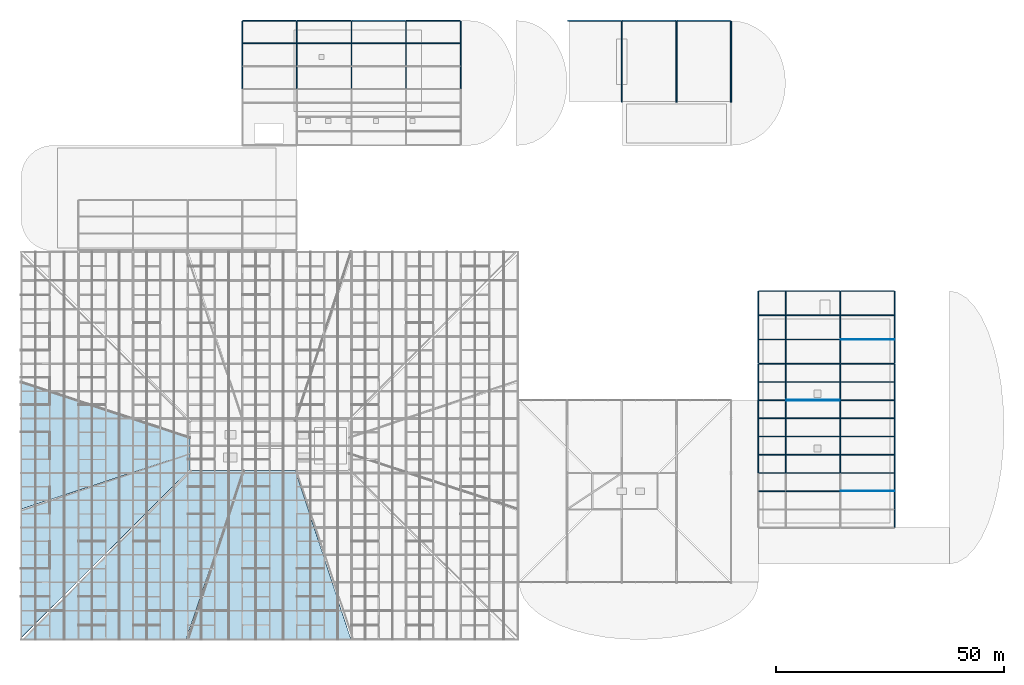
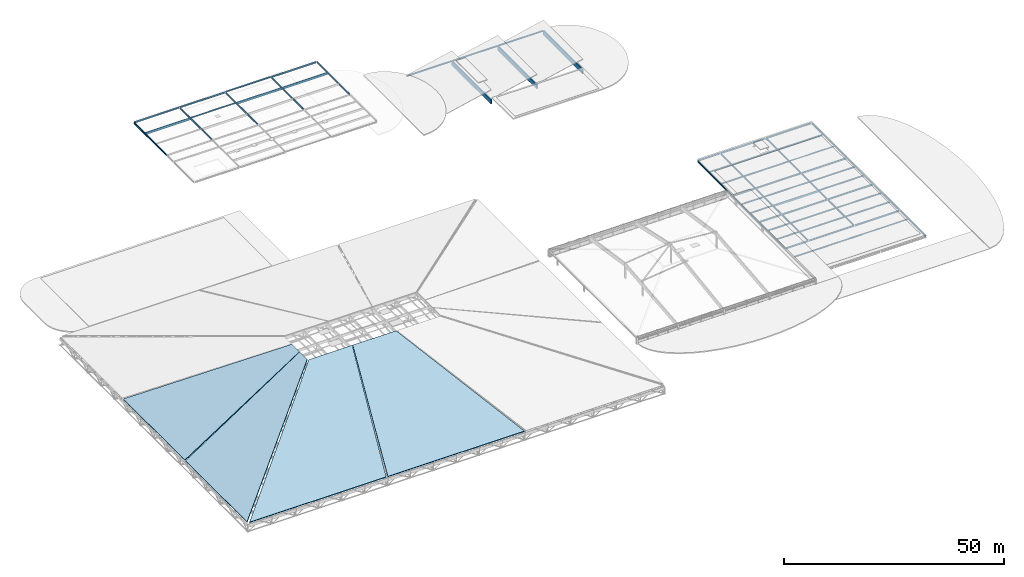
# One storey, part 73 of 80: 65 beams, 4 slabs.
"""IFC4 building model written with IfcOpenShell, lengths in metres."""

from ifc_helpers import new_model, si_unit, direction, frame, origin, origin_2d, place, context, subcontext, project, spatial, polyline, rectangle, i_section, outline, extrude, material, layer, layer_set, material_profile, profile_set, type_object, element, save


model = new_model("IFC4")

# Units and contexts
model_context = context("Model", 3, precision=1e-05, world=origin(), true_north=direction((0.0, 1.0)))
body_context = subcontext(model_context, "Body", "Model", "MODEL_VIEW")
ifc_project = project(units=[si_unit("LENGTHUNIT", "METRE"), si_unit("AREAUNIT", "SQUARE_METRE"), si_unit("VOLUMEUNIT", "CUBIC_METRE"), si_unit("PLANEANGLEUNIT", "RADIAN"), si_unit("MASSUNIT", "GRAM", prefix="KILO"), si_unit("THERMODYNAMICTEMPERATUREUNIT", "KELVIN"), si_unit("POWERUNIT", "WATT")], contexts=[model_context])

# Site, building, storey
site_placement = place(None, origin())
site = spatial("IfcSite", under=ifc_project, at=site_placement, CompositionType="ELEMENT")
building_placement = place(site_placement, origin())
building = spatial("IfcBuilding", under=site, at=building_placement, Name="Solmara Park Aquatics Centre", CompositionType="ELEMENT")
storey_placement = place(building_placement, frame((0.0, 0.0, 22.800048828125)))
storey = spatial("IfcBuildingStorey", under=building, at=storey_placement, Name="RF", CompositionType="ELEMENT", Elevation=22.800048828125)

# Beams
ifc_material_1 = material(Name="Glulam Timber GL28h", Category="wood")
ifc_material_profile_1 = material_profile(ifc_material_1, rectangle(XDim=0.320068359375, YDim=1.199951171875, at=origin_2d()), Name="GL28h 320x1200")
ifc_profile_set_1 = profile_set([ifc_material_profile_1], Name="Glulam Timber GL28h")
beam_type_1 = type_object("IfcBeamType", Name="STR-BM-GL320x1200", PredefinedType="BEAM", material=ifc_profile_set_1)
for number, where, z_axis, x_axis, name in (
    (1, (132.0, 118.080078125, -13.150146484375), (0.0, 1.0, 0.0), (-1.0, 0.0, 0.0), "Sawtooth Glulam Girder 1"),
    (2, (144.0, 118.080078125, -13.150146484375), (0.0, 1.0, 0.0), (-1.0, 0.0, 0.0), "Sawtooth Glulam Girder 2"),
    (3, (156.0, 118.080078125, -13.150146484375), (0.0, 1.0, 0.0), (-1.0, 0.0, 0.0), "Sawtooth Glulam Girder 3"),
):
    element("IfcBeam", number, at=place(storey_placement, frame(where, z_axis=z_axis, x_axis=x_axis)), inside=storey, type_object=beam_type_1, Name=name, PredefinedType="BEAM", context=body_context, shape_type="SweptSolid", body=[
        extrude(rectangle(XDim=0.320068359375, YDim=1.199951171875, at=origin_2d()), origin(), (0.0, 0.0, 1.0), 17.83984375),
    ])
ifc_material_2 = material(Name="Structural Steel S355", Category="steel")
ifc_material_profile_2 = material_profile(ifc_material_2, i_section(OverallWidth=0.18994140625, OverallDepth=0.449951171875, WebThickness=0.009521484375, FlangeThickness=0.0146484375, FilletRadius=0.02099609375, at=origin_2d()), Name="IPE 450")
ifc_profile_set_2 = profile_set([ifc_material_profile_2], Name="Structural Steel S355")
beam_type_2 = type_object("IfcBeamType", Name="STR-BM-IPE450", PredefinedType="BEAM", material=ifc_profile_set_2)
beam_1_placement = place(storey_placement, frame((162.080078125, 36.60009765625, -14.864990234375), z_axis=(1.0, 0.0, 0.0), x_axis=(0.0, 1.0, 0.0)))
element("IfcBeam", 4, at=beam_1_placement, inside=storey, type_object=beam_type_2, Name="Girder BM-RF-0521", PredefinedType="BEAM", context=body_context, shape_type="SweptSolid", body=[
    extrude(i_section(OverallWidth=0.18994140625, OverallDepth=0.449951171875, WebThickness=0.009521484375, FlangeThickness=0.0146484375, FilletRadius=0.02099609375, at=origin_2d()), origin(), (0.0, 0.0, 1.0), 5.83984375),
])
for number, where, z_axis, x_axis, name in (
    (5, (168.080078125, 36.60009765625, -14.864990234375), (1.0, 0.0, 0.0), (0.0, 1.0, 0.0), "Girder BM-RF-0522"),
    (6, (180.080078125, 36.60009765625, -14.864990234375), (1.0, 0.0, 0.0), (0.0, 1.0, 0.0), "Girder BM-RF-0523"),
):
    element("IfcBeam", number, at=place(storey_placement, frame(where, z_axis=z_axis, x_axis=x_axis)), inside=storey, type_object=beam_type_2, Name=name, PredefinedType="BEAM", context=body_context, shape_type="SweptSolid", body=[
        extrude(i_section(OverallWidth=0.18994140625, OverallDepth=0.449951171875, WebThickness=0.009521484375, FlangeThickness=0.0146484375, FilletRadius=0.02099609375, at=origin_2d()), origin(), (0.0, 0.0, 1.0), 11.83984375),
    ])
beam_2_placement = place(storey_placement, frame((162.080078125, 48.60009765625, -14.864990234375), z_axis=(1.0, 0.0, 0.0), x_axis=(0.0, 1.0, 0.0)))
element("IfcBeam", 7, at=beam_2_placement, inside=storey, type_object=beam_type_2, Name="Girder BM-RF-0524", PredefinedType="BEAM", context=body_context, shape_type="SweptSolid", body=[
    extrude(i_section(OverallWidth=0.18994140625, OverallDepth=0.449951171875, WebThickness=0.009521484375, FlangeThickness=0.0146484375, FilletRadius=0.02099609375, at=origin_2d()), origin(), (0.0, 0.0, 1.0), 5.83984375),
])
for number, where, z_axis, x_axis, name in (
    (8, (168.080078125, 48.60009765625, -14.864990234375), (1.0, 0.0, 0.0), (0.0, 1.0, 0.0), "Girder BM-RF-0525"),
    (9, (180.080078125, 48.60009765625, -14.864990234375), (1.0, 0.0, 0.0), (0.0, 1.0, 0.0), "Girder BM-RF-0526"),
):
    element("IfcBeam", number, at=place(storey_placement, frame(where, z_axis=z_axis, x_axis=x_axis)), inside=storey, type_object=beam_type_2, Name=name, PredefinedType="BEAM", context=body_context, shape_type="SweptSolid", body=[
        extrude(i_section(OverallWidth=0.18994140625, OverallDepth=0.449951171875, WebThickness=0.009521484375, FlangeThickness=0.0146484375, FilletRadius=0.02099609375, at=origin_2d()), origin(), (0.0, 0.0, 1.0), 11.83984375),
    ])
beam_3_placement = place(storey_placement, frame((162.080078125, 60.60009765625, -14.864990234375), z_axis=(1.0, 0.0, 0.0), x_axis=(0.0, 1.0, 0.0)))
element("IfcBeam", 10, at=beam_3_placement, inside=storey, type_object=beam_type_2, Name="Girder BM-RF-0527", PredefinedType="BEAM", context=body_context, shape_type="SweptSolid", body=[
    extrude(i_section(OverallWidth=0.18994140625, OverallDepth=0.449951171875, WebThickness=0.009521484375, FlangeThickness=0.0146484375, FilletRadius=0.02099609375, at=origin_2d()), origin(), (0.0, 0.0, 1.0), 5.83984375),
])
for number, where, z_axis, x_axis, name in (
    (11, (168.080078125, 60.60009765625, -14.864990234375), (1.0, 0.0, 0.0), (0.0, 1.0, 0.0), "Girder BM-RF-0528"),
    (12, (180.080078125, 60.60009765625, -14.864990234375), (1.0, 0.0, 0.0), (0.0, 1.0, 0.0), "Girder BM-RF-0529"),
):
    element("IfcBeam", number, at=place(storey_placement, frame(where, z_axis=z_axis, x_axis=x_axis)), inside=storey, type_object=beam_type_2, Name=name, PredefinedType="BEAM", context=body_context, shape_type="SweptSolid", body=[
        extrude(i_section(OverallWidth=0.18994140625, OverallDepth=0.449951171875, WebThickness=0.009521484375, FlangeThickness=0.0146484375, FilletRadius=0.02099609375, at=origin_2d()), origin(), (0.0, 0.0, 1.0), 11.83984375),
    ])
beam_4_placement = place(storey_placement, frame((162.080078125, 76.60009765625, -14.864990234375), z_axis=(1.0, 0.0, 0.0), x_axis=(0.0, 1.0, 0.0)))
element("IfcBeam", 13, at=beam_4_placement, inside=storey, type_object=beam_type_2, Name="Girder BM-RF-0530", PredefinedType="BEAM", context=body_context, shape_type="SweptSolid", body=[
    extrude(i_section(OverallWidth=0.18994140625, OverallDepth=0.449951171875, WebThickness=0.009521484375, FlangeThickness=0.0146484375, FilletRadius=0.02099609375, at=origin_2d()), origin(), (0.0, 0.0, 1.0), 5.83984375),
])
for number, where, z_axis, x_axis, name in (
    (14, (168.080078125, 76.60009765625, -14.864990234375), (1.0, 0.0, 0.0), (0.0, 1.0, 0.0), "Girder BM-RF-0531"),
    (15, (180.080078125, 76.60009765625, -14.864990234375), (1.0, 0.0, 0.0), (0.0, 1.0, 0.0), "Girder BM-RF-0532"),
):
    element("IfcBeam", number, at=place(storey_placement, frame(where, z_axis=z_axis, x_axis=x_axis)), inside=storey, type_object=beam_type_2, Name=name, PredefinedType="BEAM", context=body_context, shape_type="SweptSolid", body=[
        extrude(i_section(OverallWidth=0.18994140625, OverallDepth=0.449951171875, WebThickness=0.009521484375, FlangeThickness=0.0146484375, FilletRadius=0.02099609375, at=origin_2d()), origin(), (0.0, 0.0, 1.0), 11.83984375),
    ])
for number, where, z_axis, x_axis, name in (
    (16, (162.0, 36.679931640625, -14.864990234375), (0.0, 1.0, 0.0), (-1.0, 0.0, 0.0), "Girder BM-RF-0534"),
    (17, (162.0, 48.679931640625, -14.864990234375), (0.0, 1.0, 0.0), (-1.0, 0.0, 0.0), "Girder BM-RF-0535"),
):
    element("IfcBeam", number, at=place(storey_placement, frame(where, z_axis=z_axis, x_axis=x_axis)), inside=storey, type_object=beam_type_2, Name=name, PredefinedType="BEAM", context=body_context, shape_type="SweptSolid", body=[
        extrude(i_section(OverallWidth=0.18994140625, OverallDepth=0.449951171875, WebThickness=0.009521484375, FlangeThickness=0.0146484375, FilletRadius=0.02099609375, at=origin_2d()), origin(), (0.0, 0.0, 1.0), 11.840087890625),
    ])
beam_5_placement = place(storey_placement, frame((162.0, 60.679931640625, -14.864990234375), z_axis=(0.0, 1.0, 0.0), x_axis=(-1.0, 0.0, 0.0)))
element("IfcBeam", 18, at=beam_5_placement, inside=storey, type_object=beam_type_2, Name="Girder BM-RF-0536", PredefinedType="BEAM", context=body_context, shape_type="SweptSolid", body=[
    extrude(i_section(OverallWidth=0.18994140625, OverallDepth=0.449951171875, WebThickness=0.009521484375, FlangeThickness=0.0146484375, FilletRadius=0.02099609375, at=origin_2d()), origin(), (0.0, 0.0, 1.0), 15.840087890625),
])
for number, where, z_axis, x_axis, name in (
    (19, (168.0, 36.679931640625, -14.864990234375), (0.0, 1.0, 0.0), (-1.0, 0.0, 0.0), "Girder BM-RF-0538"),
    (20, (168.0, 48.679931640625, -14.864990234375), (0.0, 1.0, 0.0), (-1.0, 0.0, 0.0), "Girder BM-RF-0539"),
):
    element("IfcBeam", number, at=place(storey_placement, frame(where, z_axis=z_axis, x_axis=x_axis)), inside=storey, type_object=beam_type_2, Name=name, PredefinedType="BEAM", context=body_context, shape_type="SweptSolid", body=[
        extrude(i_section(OverallWidth=0.18994140625, OverallDepth=0.449951171875, WebThickness=0.009521484375, FlangeThickness=0.0146484375, FilletRadius=0.02099609375, at=origin_2d()), origin(), (0.0, 0.0, 1.0), 11.840087890625),
    ])
beam_6_placement = place(storey_placement, frame((168.0, 60.679931640625, -14.864990234375), z_axis=(0.0, 1.0, 0.0), x_axis=(-1.0, 0.0, 0.0)))
element("IfcBeam", 21, at=beam_6_placement, inside=storey, type_object=beam_type_2, Name="Girder BM-RF-0540", PredefinedType="BEAM", context=body_context, shape_type="SweptSolid", body=[
    extrude(i_section(OverallWidth=0.18994140625, OverallDepth=0.449951171875, WebThickness=0.009521484375, FlangeThickness=0.0146484375, FilletRadius=0.02099609375, at=origin_2d()), origin(), (0.0, 0.0, 1.0), 15.840087890625),
])
for number, where, z_axis, x_axis, name in (
    (22, (180.0, 36.679931640625, -14.864990234375), (0.0, 1.0, 0.0), (-1.0, 0.0, 0.0), "Girder BM-RF-0542"),
    (23, (180.0, 48.679931640625, -14.864990234375), (0.0, 1.0, 0.0), (-1.0, 0.0, 0.0), "Girder BM-RF-0543"),
):
    element("IfcBeam", number, at=place(storey_placement, frame(where, z_axis=z_axis, x_axis=x_axis)), inside=storey, type_object=beam_type_2, Name=name, PredefinedType="BEAM", context=body_context, shape_type="SweptSolid", body=[
        extrude(i_section(OverallWidth=0.18994140625, OverallDepth=0.449951171875, WebThickness=0.009521484375, FlangeThickness=0.0146484375, FilletRadius=0.02099609375, at=origin_2d()), origin(), (0.0, 0.0, 1.0), 11.840087890625),
    ])
beam_7_placement = place(storey_placement, frame((180.0, 60.679931640625, -14.864990234375), z_axis=(0.0, 1.0, 0.0), x_axis=(-1.0, 0.0, 0.0)))
element("IfcBeam", 24, at=beam_7_placement, inside=storey, type_object=beam_type_2, Name="Girder BM-RF-0544", PredefinedType="BEAM", context=body_context, shape_type="SweptSolid", body=[
    extrude(i_section(OverallWidth=0.18994140625, OverallDepth=0.449951171875, WebThickness=0.009521484375, FlangeThickness=0.0146484375, FilletRadius=0.02099609375, at=origin_2d()), origin(), (0.0, 0.0, 1.0), 15.840087890625),
])
for number, where, z_axis, x_axis, name in (
    (25, (192.0, 24.679931640625, -14.864990234375), (0.0, 1.0, 0.0), (-1.0, 0.0, 0.0), "Girder BM-RF-0545"),
    (26, (192.0, 36.679931640625, -14.864990234375), (0.0, 1.0, 0.0), (-1.0, 0.0, 0.0), "Girder BM-RF-0546"),
    (27, (192.0, 48.679931640625, -14.864990234375), (0.0, 1.0, 0.0), (-1.0, 0.0, 0.0), "Girder BM-RF-0547"),
):
    element("IfcBeam", number, at=place(storey_placement, frame(where, z_axis=z_axis, x_axis=x_axis)), inside=storey, type_object=beam_type_2, Name=name, PredefinedType="BEAM", context=body_context, shape_type="SweptSolid", body=[
        extrude(i_section(OverallWidth=0.18994140625, OverallDepth=0.449951171875, WebThickness=0.009521484375, FlangeThickness=0.0146484375, FilletRadius=0.02099609375, at=origin_2d()), origin(), (0.0, 0.0, 1.0), 11.840087890625),
    ])
beam_8_placement = place(storey_placement, frame((192.0, 60.679931640625, -14.864990234375), z_axis=(0.0, 1.0, 0.0), x_axis=(-1.0, 0.0, 0.0)))
element("IfcBeam", 28, at=beam_8_placement, inside=storey, type_object=beam_type_2, Name="Girder BM-RF-0548", PredefinedType="BEAM", context=body_context, shape_type="SweptSolid", body=[
    extrude(i_section(OverallWidth=0.18994140625, OverallDepth=0.449951171875, WebThickness=0.009521484375, FlangeThickness=0.0146484375, FilletRadius=0.02099609375, at=origin_2d()), origin(), (0.0, 0.0, 1.0), 15.840087890625),
])
for number, where, z_axis, x_axis, name in (
    (29, (48.679931640625, 136.0, -0.545166015625), (1.0, 0.0, 0.0), (0.0, 1.0, 0.0), "Girder BM-RF-0574"),
    (30, (60.679931640625, 136.0, -0.545166015625), (1.0, 0.0, 0.0), (0.0, 1.0, 0.0), "Girder BM-RF-0575"),
    (31, (84.679931640625, 136.0, -0.545166015625), (1.0, 0.0, 0.0), (0.0, 1.0, 0.0), "Girder BM-RF-0577"),
):
    element("IfcBeam", number, at=place(storey_placement, frame(where, z_axis=z_axis, x_axis=x_axis)), inside=storey, type_object=beam_type_2, Name=name, PredefinedType="BEAM", context=body_context, shape_type="SweptSolid", body=[
        extrude(i_section(OverallWidth=0.18994140625, OverallDepth=0.449951171875, WebThickness=0.009521484375, FlangeThickness=0.0146484375, FilletRadius=0.02099609375, at=origin_2d()), origin(), (0.0, 0.0, 1.0), 11.840087890625),
    ])
for number, where, z_axis, x_axis, name in (
    (32, (48.60009765625, 121.080078125, -0.545166015625), (0.0, 1.0, 0.0), (-1.0, 0.0, 0.0), "Girder BM-RF-0580"),
    (33, (60.60009765625, 121.080078125, -0.545166015625), (0.0, 1.0, 0.0), (-1.0, 0.0, 0.0), "Girder BM-RF-0583"),
    (34, (72.60009765625, 121.080078125, -0.545166015625), (0.0, 1.0, 0.0), (-1.0, 0.0, 0.0), "Girder BM-RF-0586"),
    (35, (84.60009765625, 121.080078125, -0.545166015625), (0.0, 1.0, 0.0), (-1.0, 0.0, 0.0), "Girder BM-RF-0589"),
    (36, (96.60009765625, 121.080078125, -0.545166015625), (0.0, 1.0, 0.0), (-1.0, 0.0, 0.0), "Girder BM-RF-0592"),
):
    element("IfcBeam", number, at=place(storey_placement, frame(where, z_axis=z_axis, x_axis=x_axis)), inside=storey, type_object=beam_type_2, Name=name, PredefinedType="BEAM", context=body_context, shape_type="SweptSolid", body=[
        extrude(i_section(OverallWidth=0.18994140625, OverallDepth=0.449951171875, WebThickness=0.009521484375, FlangeThickness=0.0146484375, FilletRadius=0.02099609375, at=origin_2d()), origin(), (0.0, 0.0, 1.0), 14.83984375),
    ])
ifc_material_profile_3 = material_profile(ifc_material_1, rectangle(XDim=0.199951171875, YDim=0.5400390625, at=origin_2d()), Name="GL28h 200x540")
ifc_profile_set_3 = profile_set([ifc_material_profile_3], Name="Glulam Timber GL28h")
beam_type_3 = type_object("IfcBeamType", Name="STR-JST-GL200x540", PredefinedType="JOIST", material=ifc_profile_set_3)
beam_9_placement = place(storey_placement, frame((168.094970703125, 52.60009765625, -14.91015625), z_axis=(1.0, 0.0, 0.0), x_axis=(0.0, 1.0, 0.0)))
element("IfcBeam", 37, at=beam_9_placement, inside=storey, type_object=beam_type_3, Name="Floor Joist JST-RF-0294", PredefinedType="JOIST", context=body_context, shape_type="SweptSolid", body=[
    extrude(rectangle(XDim=0.199951171875, YDim=0.5400390625, at=origin_2d()), origin(), (0.0, 0.0, 1.0), 11.81005859375),
])
ifc_material_profile_4 = material_profile(ifc_material_1, rectangle(XDim=0.219970703125, YDim=0.60009765625, at=origin_2d()), Name="GL28h 220x600")
ifc_profile_set_4 = profile_set([ifc_material_profile_4], Name="Glulam Timber GL28h")
beam_type_4 = type_object("IfcBeamType", Name="STR-JST-GL220x600", PredefinedType="JOIST", material=ifc_profile_set_4)
for number, where, z_axis, x_axis, name in (
    (38, (48.695068359375, 131.0, -0.6201171875), (1.0, 0.0, 0.0), (0.0, 1.0, 0.0), "Floor Joist JST-RF-0315"),
    (39, (72.695068359375, 131.0, -0.6201171875), (1.0, 0.0, 0.0), (0.0, 1.0, 0.0), "Floor Joist JST-RF-0323"),
    (40, (84.695068359375, 131.0, -0.6201171875), (1.0, 0.0, 0.0), (0.0, 1.0, 0.0), "Floor Joist JST-RF-0327"),
):
    element("IfcBeam", number, at=place(storey_placement, frame(where, z_axis=z_axis, x_axis=x_axis)), inside=storey, type_object=beam_type_4, Name=name, PredefinedType="JOIST", context=body_context, shape_type="SweptSolid", body=[
        extrude(rectangle(XDim=0.219970703125, YDim=0.60009765625, at=origin_2d()), origin(), (0.0, 0.0, 1.0), 11.809814453125),
    ])
ifc_material_profile_5 = material_profile(ifc_material_2, i_section(OverallWidth=0.199951171875, OverallDepth=0.18994140625, WebThickness=0.006591796875, FlangeThickness=0.010009765625, FilletRadius=0.01806640625, at=origin_2d()), Name="HEA 200")
ifc_profile_set_5 = profile_set([ifc_material_profile_5], Name="Structural Steel S355")
beam_type_5 = type_object("IfcBeamType", Name="STR-JST-HEA200", PredefinedType="JOIST", material=ifc_profile_set_5)
beam_10_placement = place(storey_placement, frame((162.094970703125, 71.2666015625, -14.735107421875), z_axis=(1.0, 0.0, 0.0), x_axis=(0.0, 1.0, 0.0)))
element("IfcBeam", 41, at=beam_10_placement, inside=storey, type_object=beam_type_5, Name="Floor Joist JST-RF-0289", PredefinedType="JOIST", context=body_context, shape_type="SweptSolid", body=[
    extrude(i_section(OverallWidth=0.199951171875, OverallDepth=0.18994140625, WebThickness=0.006591796875, FlangeThickness=0.010009765625, FilletRadius=0.01806640625, at=origin_2d()), origin(), (0.0, 0.0, 1.0), 5.81005859375),
])
beam_11_placement = place(storey_placement, frame((60.695068359375, 131.0, -0.4150390625), z_axis=(1.0, 0.0, 0.0), x_axis=(0.0, 1.0, 0.0)))
element("IfcBeam", 42, at=beam_11_placement, inside=storey, type_object=beam_type_5, Name="Floor Joist JST-RF-0319", PredefinedType="JOIST", context=body_context, shape_type="SweptSolid", body=[
    extrude(i_section(OverallWidth=0.199951171875, OverallDepth=0.18994140625, WebThickness=0.006591796875, FlangeThickness=0.010009765625, FilletRadius=0.01806640625, at=origin_2d()), origin(), (0.0, 0.0, 1.0), 11.809814453125),
])
ifc_material_profile_6 = material_profile(ifc_material_2, i_section(OverallWidth=0.219970703125, OverallDepth=0.2099609375, WebThickness=0.007080078125, FlangeThickness=0.010986328125, FilletRadius=0.01806640625, at=origin_2d()), Name="HEA 220")
ifc_profile_set_6 = profile_set([ifc_material_profile_6], Name="Structural Steel S355")
beam_type_6 = type_object("IfcBeamType", Name="STR-JST-HEA220", PredefinedType="JOIST", material=ifc_profile_set_6)
beam_12_placement = place(storey_placement, frame((162.094970703125, 40.60009765625, -14.7451171875), z_axis=(1.0, 0.0, 0.0), x_axis=(0.0, 1.0, 0.0)))
element("IfcBeam", 43, at=beam_12_placement, inside=storey, type_object=beam_type_6, Name="Floor Joist JST-RF-0284", PredefinedType="JOIST", context=body_context, shape_type="SweptSolid", body=[
    extrude(i_section(OverallWidth=0.219970703125, OverallDepth=0.2099609375, WebThickness=0.007080078125, FlangeThickness=0.010986328125, FilletRadius=0.01806640625, at=origin_2d()), origin(), (0.0, 0.0, 1.0), 5.81005859375),
])
ifc_material_profile_7 = material_profile(ifc_material_2, i_section(OverallWidth=0.10009765625, OverallDepth=0.199951171875, WebThickness=0.005615234375, FlangeThickness=0.008544921875, FilletRadius=0.011962890625, at=origin_2d()), Name="IPE 200")
ifc_profile_set_7 = profile_set([ifc_material_profile_7], Name="Structural Steel S355")
beam_type_7 = type_object("IfcBeamType", Name="STR-JST-IPE200", PredefinedType="JOIST", material=ifc_profile_set_7)
beam_13_placement = place(storey_placement, frame((180.094970703125, 65.933349609375, -14.739990234375), z_axis=(1.0, 0.0, 0.0), x_axis=(0.0, 1.0, 0.0)))
element("IfcBeam", 44, at=beam_13_placement, inside=storey, type_object=beam_type_7, Name="Floor Joist JST-RF-0304", PredefinedType="JOIST", context=body_context, shape_type="SweptSolid", body=[
    extrude(i_section(OverallWidth=0.10009765625, OverallDepth=0.199951171875, WebThickness=0.005615234375, FlangeThickness=0.008544921875, FilletRadius=0.011962890625, at=origin_2d()), origin(), (0.0, 0.0, 1.0), 11.81005859375),
])
ifc_material_profile_8 = material_profile(ifc_material_2, i_section(OverallWidth=0.110107421875, OverallDepth=0.219970703125, WebThickness=0.005859375, FlangeThickness=0.00927734375, FilletRadius=0.011962890625, at=origin_2d()), Name="IPE 220")
ifc_profile_set_8 = profile_set([ifc_material_profile_8], Name="Structural Steel S355")
beam_type_8 = type_object("IfcBeamType", Name="STR-JST-IPE220", PredefinedType="JOIST", material=ifc_profile_set_8)
beam_14_placement = place(storey_placement, frame((180.094970703125, 32.60009765625, -14.75), z_axis=(1.0, 0.0, 0.0), x_axis=(0.0, 1.0, 0.0)))
element("IfcBeam", 45, at=beam_14_placement, inside=storey, type_object=beam_type_8, Name="Floor Joist JST-RF-0299", PredefinedType="JOIST", context=body_context, shape_type="SweptSolid", body=[
    extrude(i_section(OverallWidth=0.110107421875, OverallDepth=0.219970703125, WebThickness=0.005859375, FlangeThickness=0.00927734375, FilletRadius=0.011962890625, at=origin_2d()), origin(), (0.0, 0.0, 1.0), 11.81005859375),
])
ifc_material_profile_9 = material_profile(ifc_material_2, i_section(OverallWidth=0.135009765625, OverallDepth=0.27001953125, WebThickness=0.006591796875, FlangeThickness=0.01025390625, FilletRadius=0.014892578125, at=origin_2d()), Name="IPE 270")
ifc_profile_set_9 = profile_set([ifc_material_profile_9], Name="Structural Steel S355")
beam_type_9 = type_object("IfcBeamType", Name="STR-JST-IPE270", PredefinedType="JOIST", material=ifc_profile_set_9)
for number, where, z_axis, x_axis, name in (
    (46, (162.094970703125, 32.60009765625, -14.775146484375), (1.0, 0.0, 0.0), (0.0, 1.0, 0.0), "Floor Joist JST-RF-0283"),
    (47, (162.094970703125, 44.60009765625, -14.775146484375), (1.0, 0.0, 0.0), (0.0, 1.0, 0.0), "Floor Joist JST-RF-0285"),
    (48, (162.094970703125, 52.60009765625, -14.775146484375), (1.0, 0.0, 0.0), (0.0, 1.0, 0.0), "Floor Joist JST-RF-0286"),
    (49, (162.094970703125, 56.60009765625, -14.775146484375), (1.0, 0.0, 0.0), (0.0, 1.0, 0.0), "Floor Joist JST-RF-0287"),
    (50, (162.094970703125, 65.933349609375, -14.775146484375), (1.0, 0.0, 0.0), (0.0, 1.0, 0.0), "Floor Joist JST-RF-0288"),
):
    element("IfcBeam", number, at=place(storey_placement, frame(where, z_axis=z_axis, x_axis=x_axis)), inside=storey, type_object=beam_type_9, Name=name, PredefinedType="JOIST", context=body_context, shape_type="SweptSolid", body=[
        extrude(i_section(OverallWidth=0.135009765625, OverallDepth=0.27001953125, WebThickness=0.006591796875, FlangeThickness=0.01025390625, FilletRadius=0.014892578125, at=origin_2d()), origin(), (0.0, 0.0, 1.0), 5.81005859375),
    ])
for number, where, z_axis, x_axis, name in (
    (51, (168.094970703125, 32.60009765625, -14.775146484375), (1.0, 0.0, 0.0), (0.0, 1.0, 0.0), "Floor Joist JST-RF-0291"),
    (52, (168.094970703125, 40.60009765625, -14.775146484375), (1.0, 0.0, 0.0), (0.0, 1.0, 0.0), "Floor Joist JST-RF-0292"),
    (53, (168.094970703125, 44.60009765625, -14.775146484375), (1.0, 0.0, 0.0), (0.0, 1.0, 0.0), "Floor Joist JST-RF-0293"),
    (54, (168.094970703125, 56.60009765625, -14.775146484375), (1.0, 0.0, 0.0), (0.0, 1.0, 0.0), "Floor Joist JST-RF-0295"),
    (55, (168.094970703125, 65.933349609375, -14.775146484375), (1.0, 0.0, 0.0), (0.0, 1.0, 0.0), "Floor Joist JST-RF-0296"),
    (56, (168.094970703125, 71.2666015625, -14.775146484375), (1.0, 0.0, 0.0), (0.0, 1.0, 0.0), "Floor Joist JST-RF-0297"),
    (57, (180.094970703125, 40.60009765625, -14.775146484375), (1.0, 0.0, 0.0), (0.0, 1.0, 0.0), "Floor Joist JST-RF-0300"),
    (58, (180.094970703125, 44.60009765625, -14.775146484375), (1.0, 0.0, 0.0), (0.0, 1.0, 0.0), "Floor Joist JST-RF-0301"),
    (59, (180.094970703125, 52.60009765625, -14.775146484375), (1.0, 0.0, 0.0), (0.0, 1.0, 0.0), "Floor Joist JST-RF-0302"),
    (60, (180.094970703125, 56.60009765625, -14.775146484375), (1.0, 0.0, 0.0), (0.0, 1.0, 0.0), "Floor Joist JST-RF-0303"),
    (61, (180.094970703125, 71.2666015625, -14.775146484375), (1.0, 0.0, 0.0), (0.0, 1.0, 0.0), "Floor Joist JST-RF-0305"),
):
    element("IfcBeam", number, at=place(storey_placement, frame(where, z_axis=z_axis, x_axis=x_axis)), inside=storey, type_object=beam_type_9, Name=name, PredefinedType="JOIST", context=body_context, shape_type="SweptSolid", body=[
        extrude(i_section(OverallWidth=0.135009765625, OverallDepth=0.27001953125, WebThickness=0.006591796875, FlangeThickness=0.01025390625, FilletRadius=0.014892578125, at=origin_2d()), origin(), (0.0, 0.0, 1.0), 11.81005859375),
    ])
ifc_material_profile_10 = material_profile(ifc_material_2, i_section(OverallWidth=0.300048828125, OverallDepth=0.2900390625, WebThickness=0.008544921875, FlangeThickness=0.013916015625, FilletRadius=0.027099609375, at=origin_2d()), Name="HEA 300")
ifc_profile_set_10 = profile_set([ifc_material_profile_10], Name="Structural Steel S355")
beam_type_10 = type_object("IfcBeamType", Name="STR-SPD-HEA300", PredefinedType="SPANDREL", material=ifc_profile_set_10)
for number, where, z_axis, x_axis, name in (
    (62, (120.080078125, 136.0, -12.695068359375), (1.0, 0.0, 0.0), (0.0, 1.0, 0.0), "Sawtooth North Eave Spandrel 120"),
    (63, (132.080078125, 136.0, -12.695068359375), (1.0, 0.0, 0.0), (0.0, 1.0, 0.0), "Sawtooth North Eave Spandrel 132"),
    (64, (144.080078125, 136.0, -12.695068359375), (1.0, 0.0, 0.0), (0.0, 1.0, 0.0), "Sawtooth North Eave Spandrel 144"),
):
    element("IfcBeam", number, at=place(storey_placement, frame(where, z_axis=z_axis, x_axis=x_axis)), inside=storey, type_object=beam_type_10, Name=name, PredefinedType="SPANDREL", context=body_context, shape_type="SweptSolid", body=[
        extrude(i_section(OverallWidth=0.300048828125, OverallDepth=0.2900390625, WebThickness=0.008544921875, FlangeThickness=0.013916015625, FilletRadius=0.027099609375, at=origin_2d()), origin(), (0.0, 0.0, 1.0), 11.83984375),
    ])
beam_15_placement = place(storey_placement, frame((72.679931640625, 136.0, -0.465087890625), z_axis=(1.0, 0.0, 0.0), x_axis=(0.0, 1.0, 0.0)))
element("IfcBeam", 65, at=beam_15_placement, inside=storey, type_object=beam_type_10, Name="Girder BM-RF-0576", PredefinedType="SPANDREL", context=body_context, shape_type="SweptSolid", body=[
    extrude(i_section(OverallWidth=0.300048828125, OverallDepth=0.2900390625, WebThickness=0.008544921875, FlangeThickness=0.013916015625, FilletRadius=0.027099609375, at=origin_2d()), origin(), (0.0, 0.0, 1.0), 11.840087890625),
])

# Slabs
ifc_material_3 = material(Name="Concrete C40/50", Category="concrete")
ifc_layer = layer(ifc_material_3, 0.239990234375, Name="Concrete C40/50")
ifc_layer_set = layer_set([ifc_layer], Name="Concrete C40/50")
slab_type = type_object("IfcSlabType", Name="STR-SLB-ROOF240", PredefinedType="ROOF", material=ifc_layer_set)
slab_1_placement = place(storey_placement, frame((0.4375, 0.0, -11.949951171875), z_axis=(0.0, -0.25037850005, 0.968148029339), x_axis=(1.0, 0.0, 0.0)))
element("IfcSlab", 66, at=slab_1_placement, inside=storey, type_object=slab_type, Name="Competition Hall Hipped Roof Panel SOUTH-1", PredefinedType="ROOF", context=body_context, shape_type="SweptSolid", body=[
    extrude(outline(polyline([(0.0, 0.0), (35.818359375, 0.0), (48.340087890625, 38.34136522784746), (36.971435546875, 38.34136522784746), (0.0, 0.0)])), origin(), (0.0, 0.0, -1.0), 0.239990234375),
])
slab_2_placement = place(storey_placement, frame((36.69091796875, 0.0, -11.949951171875), z_axis=(0.0, -0.25037850005, 0.968148029339), x_axis=(1.0, 0.0, 0.0)))
element("IfcSlab", 67, at=slab_2_placement, inside=storey, type_object=slab_type, Name="Competition Hall Hipped Roof Panel SOUTH-2", PredefinedType="ROOF", context=body_context, shape_type="SweptSolid", body=[
    extrude(outline(polyline([(0.0, 0.0), (35.818115234375, 0.0), (23.59326171875, 38.34136522784746), (12.224853515625, 38.34136522784746), (0.0, 0.0)])), origin(), (0.0, 0.0, -1.0), 0.239990234375),
])
slab_3_placement = place(storey_placement, frame((0.0, 56.55712890625, -11.949951171875), z_axis=(-0.25037850005, 0.0, 0.968148029339), x_axis=(0.0, -1.0, 0.0)))
element("IfcSlab", 68, at=slab_3_placement, inside=storey, type_object=slab_type, Name="Competition Hall Hipped Roof Panel WEST-2", PredefinedType="ROOF", context=body_context, shape_type="SweptSolid", body=[
    extrude(outline(polyline([(0.0, 0.0), (27.914306640625, 0.0), (15.689453125, 38.34136522784746), (12.224853515625, 38.34136522784746), (0.0, 0.0)])), origin(), (0.0, 0.0, -1.0), 0.239990234375),
])
slab_4_placement = place(storey_placement, frame((0.0, 28.3037109375, -11.949951171875), z_axis=(-0.25037850005, 0.0, 0.968148029339), x_axis=(0.0, -1.0, 0.0)))
element("IfcSlab", 69, at=slab_4_placement, inside=storey, type_object=slab_type, Name="Competition Hall Hipped Roof Panel WEST-3", PredefinedType="ROOF", context=body_context, shape_type="SweptSolid", body=[
    extrude(outline(polyline([(0.0, 0.0), (27.914306640625, 0.0), (-9.057373046875, 38.34136522784746), (-12.52197265625, 38.34136522784746), (0.0, 0.0)])), origin(), (0.0, 0.0, -1.0), 0.239990234375),
])

save(model, "model.ifc")
